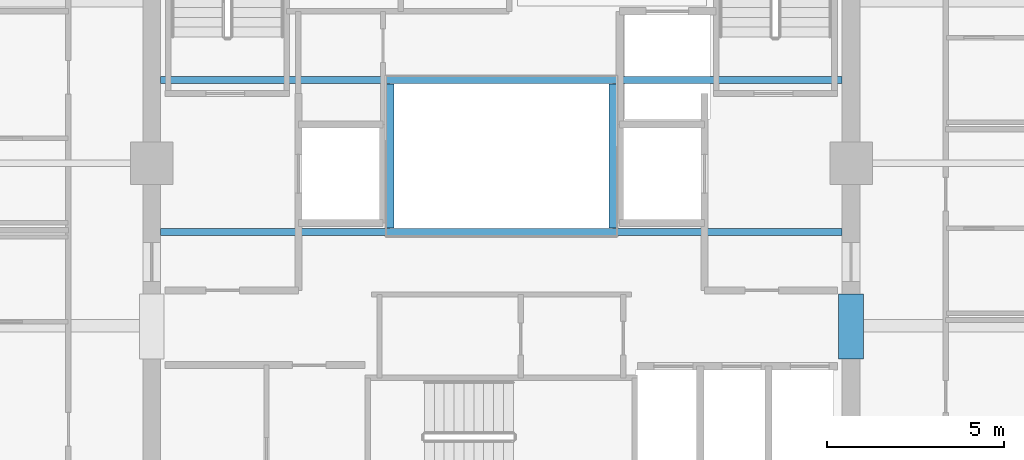
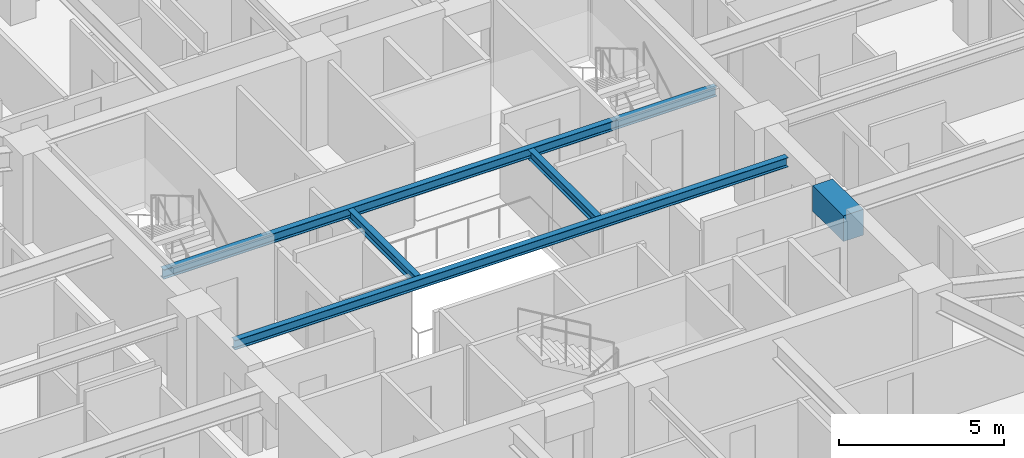
# One storey, part 11 of 37: 5 beams.
"""IFC4 building model written with IfcOpenShell, lengths in metres."""

from ifc_helpers import new_model, si_unit, direction, frame, origin, origin_2d, place, context, subcontext, project, spatial, rectangle, i_section, extrude, material, material_profile, profile_set, type_object, element, save


model = new_model("IFC4")

# Units and contexts
model_context = context("Model", 3, precision=1e-05, world=origin(), true_north=direction((0.0, 1.0)))
body_context = subcontext(model_context, "Body", "Model", "MODEL_VIEW")
ifc_project = project(units=[si_unit("LENGTHUNIT", "METRE"), si_unit("AREAUNIT", "SQUARE_METRE"), si_unit("VOLUMEUNIT", "CUBIC_METRE"), si_unit("PLANEANGLEUNIT", "RADIAN"), si_unit("MASSUNIT", "GRAM", prefix="KILO")], contexts=[model_context])

# Site, building, storey
site_placement = place(None, origin())
site = spatial("IfcSite", under=ifc_project, at=site_placement, CompositionType="ELEMENT")
building_placement = place(site_placement, origin())
building = spatial("IfcBuilding", under=site, at=building_placement, Name="Kolvaren Belvedere", CompositionType="ELEMENT")
storey_placement = place(building_placement, frame((0.0, 0.0, 180.0)))
storey = spatial("IfcBuildingStorey", under=building, at=storey_placement, Name="L52", CompositionType="ELEMENT", Elevation=180.0)

# Beams
ifc_material_1 = material(Name="Structural steel ASTM A992 Grade 50", Category="steel")
ifc_material_profile_1 = material_profile(ifc_material_1, i_section(OverallWidth=0.2041015625, OverallDepth=0.35009765625, WebThickness=0.008544921875, FlangeThickness=0.01513671875, FilletRadius=0.013916015625, at=origin_2d()), Name="W14X48")
ifc_profile_set_1 = profile_set([ifc_material_profile_1], Name="Structural steel ASTM A992 Grade 50")
beam_type_1 = type_object("IfcBeamType", Name="BM-ATRIUM-W14X48", PredefinedType="BEAM", material=ifc_profile_set_1)
for number, where, z_axis, x_axis, name in (
    (1, (-9.64990234375, -1.949951171875, 2.905029296875), (1.0, 0.0, 0.0), (0.0, 1.0, 0.0), "L52 Central Atrium South Girder AS"),
    (2, (-9.64990234375, 2.35009765625, 2.905029296875), (1.0, 0.0, 0.0), (0.0, 1.0, 0.0), "L52 Central Atrium North Girder AN"),
):
    element("IfcBeam", number, at=place(storey_placement, frame(where, z_axis=z_axis, x_axis=x_axis)), inside=storey, type_object=beam_type_1, Name=name, PredefinedType="BEAM", context=body_context, shape_type="SweptSolid", body=[
        extrude(i_section(OverallWidth=0.2041015625, OverallDepth=0.35009765625, WebThickness=0.008544921875, FlangeThickness=0.01513671875, FilletRadius=0.013916015625, at=origin_2d()), origin(), (0.0, 0.0, 1.0), 19.2998046875),
    ])
for number, where, z_axis, x_axis, name in (
    (3, (-3.14990234375, -1.840087890625, 2.905029296875), (0.0, 1.0, 0.0), (-1.0, 0.0, 0.0), "L52 Central Atrium West Edge Beam AW"),
    (4, (3.14990234375, -1.840087890625, 2.905029296875), (0.0, 1.0, 0.0), (-1.0, 0.0, 0.0), "L52 Central Atrium East Edge Beam AE"),
):
    element("IfcBeam", number, at=place(storey_placement, frame(where, z_axis=z_axis, x_axis=x_axis)), inside=storey, type_object=beam_type_1, Name=name, PredefinedType="BEAM", context=body_context, shape_type="SweptSolid", body=[
        extrude(i_section(OverallWidth=0.2041015625, OverallDepth=0.35009765625, WebThickness=0.008544921875, FlangeThickness=0.01513671875, FilletRadius=0.013916015625, at=origin_2d()), origin(), (0.0, 0.0, 1.0), 4.080078125),
    ])
ifc_material_2 = material(Name="Concrete C60/75", Category="concrete")
ifc_material_profile_2 = material_profile(ifc_material_2, rectangle(XDim=0.699951171875, YDim=0.949951171875, at=origin_2d()), Name="RC 700X950")
ifc_profile_set_2 = profile_set([ifc_material_profile_2], Name="Concrete C60/75")
beam_type_2 = type_object("IfcBeamType", Name="BM-LINT-950", PredefinedType="LINTEL", material=ifc_profile_set_2)
beam_placement = place(storey_placement, frame((9.89990234375, -5.550048828125, 2.60498046875), z_axis=(0.0, 1.0, 0.0), x_axis=(-1.0, 0.0, 0.0)))
element("IfcBeam", 5, at=beam_placement, inside=storey, type_object=beam_type_2, Name="L52 East Core Coupling Lintel", PredefinedType="LINTEL", context=body_context, shape_type="SweptSolid", body=[
    extrude(rectangle(XDim=0.699951171875, YDim=0.949951171875, at=origin_2d()), origin(), (0.0, 0.0, 1.0), 1.85009765625),
])

save(model, "model.ifc")
